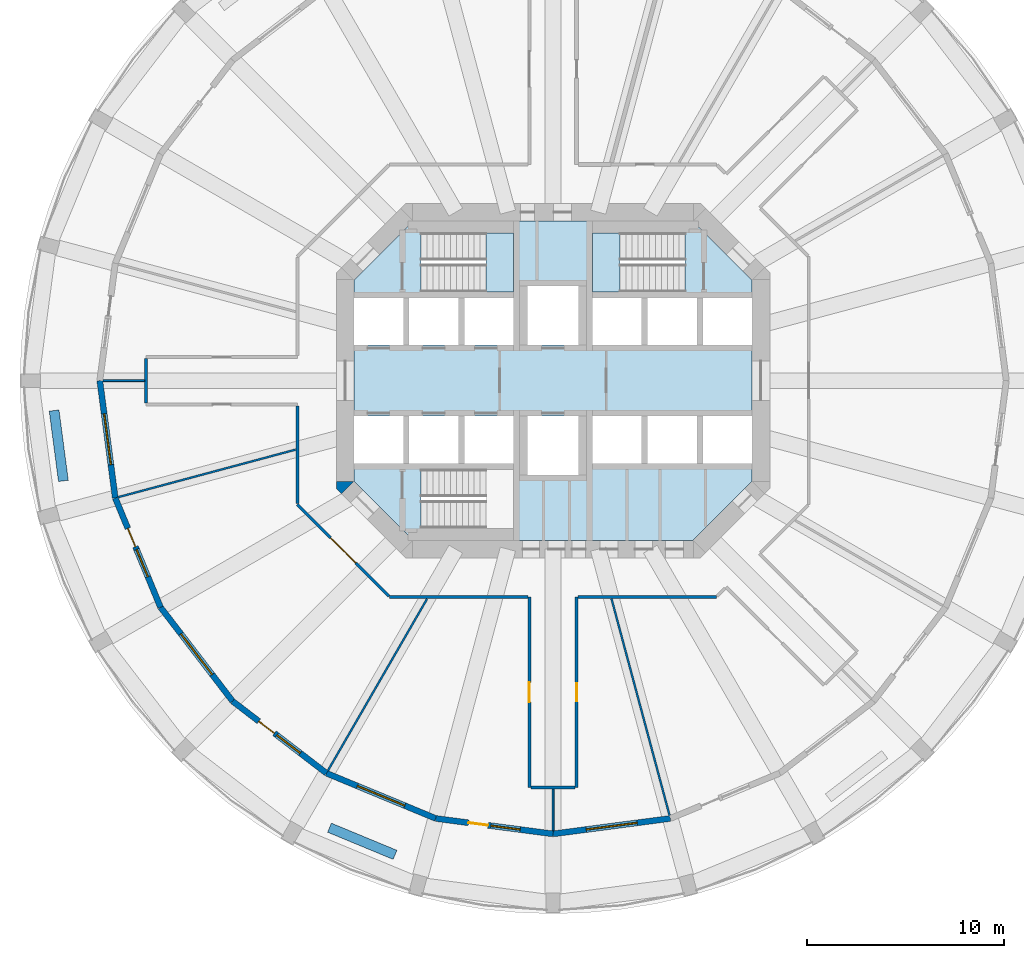
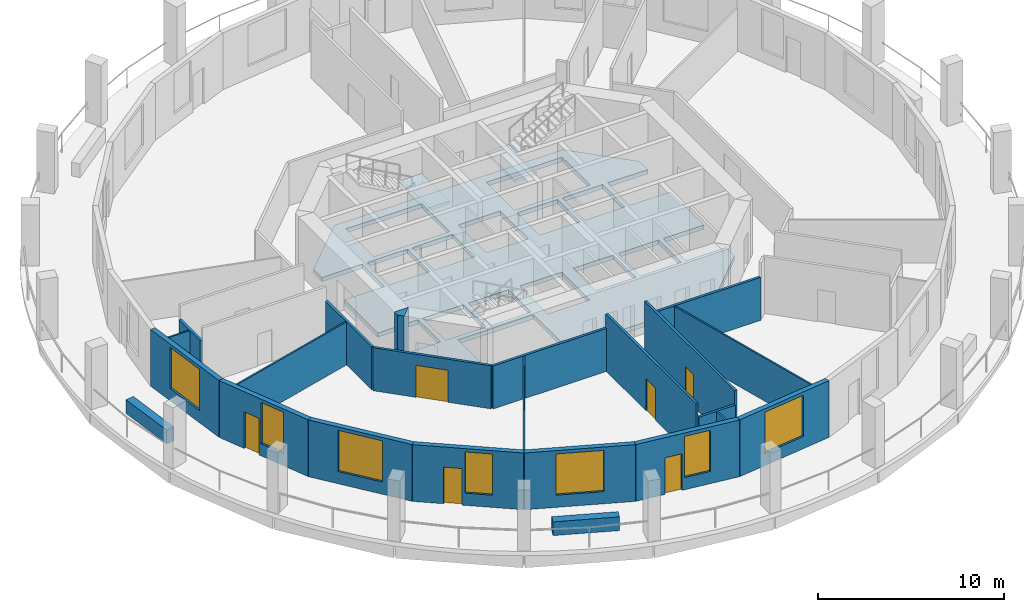
# One storey, part 2 of 9: 23 walls, 7 windows, 6 doors, 3 slabs, 13 openings, 2 elements without a shape of their own.
"""IFC4 building model written with IfcOpenShell, lengths in metres."""

import ifcopenshell
import ifcopenshell.guid

model = None  # the IFC model being written
_history = None  # IfcOwnerHistory: only IFC2X3 demands one
_inside = {}  # id of a spatial element -> (the spatial element, [elements in it])
_under = {}  # id of a project, library or spatial element -> (it, [spatial elements below it])
_declared = {}  # id of a project -> (the project, [libraries it declares])
_typed = {}  # id of a type object -> (the type object, [elements of that type])
_made_of = {}  # id of a material, layer set ... -> (it, [elements and type objects made of it])


def new_model(schema):
    """Start an empty IFC model of exactly this schema.

    Asked for "IFC4X3", IfcOpenShell would pick the latest addendum, in which some entities
    have other attributes; the version numbers below select the first issue.
    IFC2X3 requires an IfcOwnerHistory on every rooted entity: one is made here for all.
    """
    global model, _history
    if schema == "IFC4X3":
        model = ifcopenshell.file(schema_version=(4, 3, 0, 0))
    else:
        model = ifcopenshell.file(schema=schema)
    _inside.clear()
    _under.clear()
    _declared.clear()
    _typed.clear()
    _made_of.clear()
    _history = None
    if model.schema == "IFC2X3":
        org = make("IfcOrganization", Name="unknown")
        user = make(
            "IfcPersonAndOrganization",
            ThePerson=make("IfcPerson", FamilyName="unknown"),
            TheOrganization=org,
        )
        app = make(
            "IfcApplication",
            ApplicationDeveloper=org,
            Version="unknown",
            ApplicationFullName="unknown",
            ApplicationIdentifier="unknown",
        )
        _history = make(
            "IfcOwnerHistory",
            OwningUser=user,
            OwningApplication=app,
            ChangeAction="ADDED",
            CreationDate=0,
        )
    return model


def make(cls, **values):
    """One entity of the class cls with the attributes given. An attribute that is None is left unset."""
    return model.create_entity(
        cls, **{name: value for name, value in values.items() if value is not None}
    )


def rooted(cls, **values):
    """An entity with a GlobalId (a new one), such as an element, a storey or a relation."""
    return make(cls, GlobalId=ifcopenshell.guid.new(), OwnerHistory=_history, **values)


def si_unit(unit_type, name, prefix=None):
    """IfcSIUnit, for example si_unit("LENGTHUNIT", "METRE", prefix="MILLI")."""
    return make("IfcSIUnit", UnitType=unit_type, Prefix=prefix, Name=name)


def assignment(units):
    """IfcUnitAssignment: the units of a project."""
    return None if units is None else make("IfcUnitAssignment", Units=units)


def point(xyz):
    """IfcCartesianPoint."""
    return None if xyz is None else make("IfcCartesianPoint", Coordinates=xyz)


def direction(xyz):
    """IfcDirection."""
    return None if xyz is None else make("IfcDirection", DirectionRatios=xyz)


def frame(location, z_axis=None, x_axis=None):
    """IfcAxis2Placement3D, a coordinate frame: its origin and axes. An axis left out is left unset."""
    return make(
        "IfcAxis2Placement3D",
        Location=point(location),
        Axis=direction(z_axis),
        RefDirection=direction(x_axis),
    )


def frame_2d(location, x_axis=None):
    """IfcAxis2Placement2D, a coordinate frame in the plane: its origin and x axis."""
    return make(
        "IfcAxis2Placement2D", Location=point(location), RefDirection=direction(x_axis)
    )


def origin():
    """The frame at (0, 0, 0) with its axes left unset."""
    return frame((0.0, 0.0, 0.0))


def place(relative_to, where):
    """IfcLocalPlacement: puts the frame where relative to a parent placement (None: the world)."""
    return make(
        "IfcLocalPlacement", PlacementRelTo=relative_to, RelativePlacement=where
    )


def context(
    kind, dimensions, precision=None, world=None, true_north=None, identifier=None
):
    """IfcGeometricRepresentationContext, for example the 3D "Model" context."""
    return make(
        "IfcGeometricRepresentationContext",
        ContextIdentifier=identifier,
        ContextType=kind,
        CoordinateSpaceDimension=dimensions,
        Precision=precision,
        WorldCoordinateSystem=world,
        TrueNorth=true_north,
    )


def subcontext(parent, identifier, kind, view, scale=None):
    """IfcGeometricRepresentationSubContext, for example "Body" below "Model"."""
    return make(
        "IfcGeometricRepresentationSubContext",
        ContextIdentifier=identifier,
        ContextType=kind,
        ParentContext=parent,
        TargetScale=scale,
        TargetView=view,
    )


def project(units=None, contexts=None):
    """IfcProject with its units and contexts."""
    return rooted(
        "IfcProject",
        Name="project",
        RepresentationContexts=contexts,
        UnitsInContext=assignment(units),
    )


def spatial(cls, under=None, at=None, **own):
    """A site, building, storey or space (cls), placed at a placement, below another one or the project."""
    s = rooted(cls, ObjectPlacement=at, **own)
    if under is not None:
        _under.setdefault(under.id(), (under, []))[1].append(s)
    return s


def polyline(points):
    """IfcPolyline through the points."""
    return make("IfcPolyline", Points=[point(p) for p in points])


def profile(cls, at=None, kind="AREA", **sizes):
    """A parametric profile (cls). Its sizes go by their IFC names, for example OverallWidth=200.0."""
    return make(cls, ProfileType=kind, Position=at, **sizes)


def rectangle(**sizes):
    """IfcRectangleProfileDef."""
    return profile("IfcRectangleProfileDef", **sizes)


def outline(outer, holes=None, kind="AREA"):
    """IfcArbitraryClosedProfileDef: a profile drawn as a closed curve; with holes, ...WithVoids."""
    if holes is None:
        return make("IfcArbitraryClosedProfileDef", ProfileType=kind, OuterCurve=outer)
    return make(
        "IfcArbitraryProfileDefWithVoids",
        ProfileType=kind,
        OuterCurve=outer,
        InnerCurves=holes,
    )


def extrude(swept, where, along, depth):
    """IfcExtrudedAreaSolid: the profile swept, set in the frame where, extruded along a direction by depth."""
    return make(
        "IfcExtrudedAreaSolid",
        SweptArea=swept,
        Position=where,
        ExtrudedDirection=direction(along),
        Depth=depth,
    )


def shape(context_of_items, identifier, shape_type, items):
    """IfcShapeRepresentation: the items that make up one representation, for example the "Body"."""
    return make(
        "IfcShapeRepresentation",
        ContextOfItems=context_of_items,
        RepresentationIdentifier=identifier,
        RepresentationType=shape_type,
        Items=items,
    )


def material(Name=None, Category=None):
    """IfcMaterial."""
    return make("IfcMaterial", Name=Name, Category=Category)


def layer(
    of_material, thickness, ventilated=None, Name=None, Category=None, Priority=None
):
    """IfcMaterialLayer: one layer of a wall or slab, of a material (None: an air gap)."""
    return make(
        "IfcMaterialLayer",
        Material=of_material,
        LayerThickness=thickness,
        IsVentilated=ventilated,
        Name=Name,
        Category=Category,
        Priority=Priority,
    )


def layer_set(layers, Name=None):
    """IfcMaterialLayerSet."""
    return make("IfcMaterialLayerSet", MaterialLayers=layers, LayerSetName=Name)


def made_of(thing, what):
    """Note that an element or type object is made of a material, layer set ...; save() writes the relation."""
    if what is not None:
        _made_of.setdefault(what.id(), (what, []))[1].append(thing)
    return thing


def type_object(cls, material=None, **own):
    """A type object (cls), such as IfcWallType, which elements share."""
    return made_of(rooted(cls, **own), material)


def element(
    cls,
    number,
    at=None,
    inside=None,
    cuts=None,
    type_object=None,
    material=None,
    context=None,
    identifier="Body",
    shape_type=None,
    held_by="IfcProductDefinitionShape",
    body=None,
    shapes=None,
    **own,
):
    """One element of the class cls, such as IfcWall. Its Tag is "e" and its number.

    at: its placement. inside: the storey or other place that contains it. cuts: it is an
    opening in that element (IfcRelVoidsElement). A single representation is given by context,
    identifier, shape_type and body (its items); several are given by shapes. held_by: the class
    of the entity that holds the representations. save() writes the other relations.
    """
    e = rooted(cls, Tag="e%d" % number, ObjectPlacement=at, **own)
    if body is not None:
        shapes = [shape(context, identifier, shape_type, body)]
    if shapes is not None:
        e.Representation = make(held_by, Representations=shapes)
    if inside is not None:
        _inside.setdefault(inside.id(), (inside, []))[1].append(e)
    if cuts is not None:
        rooted(
            "IfcRelVoidsElement", RelatingBuildingElement=cuts, RelatedOpeningElement=e
        )
    if type_object is not None:
        _typed.setdefault(type_object.id(), (type_object, []))[1].append(e)
    return made_of(e, material)


def fill(opening, filler):
    """IfcRelFillsElement: the door or window that sits in an opening."""
    return rooted(
        "IfcRelFillsElement",
        RelatingOpeningElement=opening,
        RelatedBuildingElement=filler,
    )


def aggregate(whole, parts):
    """IfcRelAggregates: a whole, such as a stair, and the parts it consists of."""
    return rooted("IfcRelAggregates", RelatingObject=whole, RelatedObjects=parts)


def save(model, path):
    """Write the relations noted so far, then the file.

    IfcRelAggregates (storeys below a building ...), IfcRelContainedInSpatialStructure (elements
    in a storey), IfcRelDefinesByType, IfcRelAssociatesMaterial and IfcRelDeclares: one each for
    every whole, place, type object, material and project.
    """
    for whole, parts in _under.values():
        aggregate(whole, parts)
    for where, things in _inside.values():
        rooted(
            "IfcRelContainedInSpatialStructure",
            RelatedElements=things,
            RelatingStructure=where,
        )
    for kind, things in _typed.values():
        rooted("IfcRelDefinesByType", RelatedObjects=things, RelatingType=kind)
    for what, things in _made_of.values():
        rooted("IfcRelAssociatesMaterial", RelatedObjects=things, RelatingMaterial=what)
    for by, libraries in _declared.values():
        rooted("IfcRelDeclares", RelatingContext=by, RelatedDefinitions=libraries)
    model.write(path)


model = new_model("IFC4")

# Units and contexts
model_context = context("Model", 3, precision=1e-05, world=origin(), true_north=direction((0.0, 1.0)))
body_context = subcontext(model_context, "Body", "Model", "MODEL_VIEW")
ifc_project = project(units=[si_unit("LENGTHUNIT", "METRE"), si_unit("AREAUNIT", "SQUARE_METRE"), si_unit("VOLUMEUNIT", "CUBIC_METRE"), si_unit("PLANEANGLEUNIT", "RADIAN"), si_unit("MASSUNIT", "GRAM", prefix="KILO")], contexts=[model_context])

# Site, building, storey
site_placement = place(None, origin())
site = spatial("IfcSite", under=ifc_project, at=site_placement, CompositionType="ELEMENT")
building_placement = place(site_placement, origin())
building = spatial("IfcBuilding", under=site, at=building_placement, Name="Torre Triforio", CompositionType="ELEMENT")
storey_placement = place(building_placement, frame((0.0, 0.0, 51.0)))
storey = spatial("IfcBuildingStorey", under=building, at=storey_placement, Name="L10", CompositionType="ELEMENT", Elevation=51.0)

# Slab
ifc_material_1 = material(Name="Concrete C60", Category="concrete")
ifc_layer_1 = layer(ifc_material_1, 0.280029296875)
ifc_layer_set_1 = layer_set([ifc_layer_1], Name="Concrete C60")
slab_type_1 = type_object("IfcSlabType", Name="Core floor slab 280 mm C60 REI 120", PredefinedType="FLOOR", material=ifc_layer_set_1)
slab_1_placement = place(storey_placement, frame((0.0, 0.0, -0.280029296875)))
element("IfcSlab", 1, at=slab_1_placement, inside=storey, type_object=slab_type_1, Name="Core floor slab", PredefinedType="FLOOR", context=body_context, shape_type="SweptSolid", body=[
    extrude(outline(polyline([(10.10009765625, -5.10009765625), (7.10009765625, -8.10009765625), (-7.10009765625, -8.10009765625), (-10.10009765625, -5.10009765625), (-10.10009765625, -4.199951171875), (-7.60009765625, -4.199951171875), (-7.60009765625, -1.800048828125), (-10.10009765625, -1.800048828125), (-10.10009765625, 1.800048828125), (-7.60009765625, 1.800048828125), (-7.60009765625, 4.199951171875), (-10.10009765625, 4.199951171875), (-10.10009765625, 5.10009765625), (-7.10009765625, 8.10009765625), (7.10009765625, 8.10009765625), (10.10009765625, 5.10009765625), (10.10009765625, 4.199951171875), (7.60009765625, 4.199951171875), (7.60009765625, 1.800048828125), (10.10009765625, 1.800048828125), (10.10009765625, -1.800048828125), (7.60009765625, -1.800048828125), (7.60009765625, -4.199951171875), (10.10009765625, -4.199951171875), (10.10009765625, -5.10009765625)]), holes=[polyline([(-2.0, -4.5), (-6.696044921875, -4.5), (-6.696044921875, -7.5), (-2.0, -7.5), (-2.0, -4.5)]), polyline([(-4.800048828125, -1.800048828125), (-7.300048828125, -1.800048828125), (-7.300048828125, -4.199951171875), (-4.800048828125, -4.199951171875), (-4.800048828125, -1.800048828125)]), polyline([(-2.0, -1.800048828125), (-4.5, -1.800048828125), (-4.5, -4.199951171875), (-2.0, -4.199951171875), (-2.0, -1.800048828125)]), polyline([(-4.800048828125, 4.199951171875), (-7.300048828125, 4.199951171875), (-7.300048828125, 1.800048828125), (-4.800048828125, 1.800048828125), (-4.800048828125, 4.199951171875)]), polyline([(-2.0, 4.199951171875), (-4.5, 4.199951171875), (-4.5, 1.800048828125), (-2.0, 1.800048828125), (-2.0, 4.199951171875)]), polyline([(1.300048828125, 4.800048828125), (-1.300048828125, 4.800048828125), (-1.300048828125, 1.800048828125), (1.300048828125, 1.800048828125), (1.300048828125, 4.800048828125)]), polyline([(-2.0, 7.5), (-6.696044921875, 7.5), (-6.696044921875, 4.5), (-2.0, 4.5), (-2.0, 7.5)]), polyline([(1.300048828125, -1.800048828125), (-1.300048828125, -1.800048828125), (-1.300048828125, -4.800048828125), (1.300048828125, -4.800048828125), (1.300048828125, -1.800048828125)]), polyline([(4.5, -1.800048828125), (2.0, -1.800048828125), (2.0, -4.199951171875), (4.5, -4.199951171875), (4.5, -1.800048828125)]), polyline([(7.300048828125, -1.800048828125), (4.800048828125, -1.800048828125), (4.800048828125, -4.199951171875), (7.300048828125, -4.199951171875), (7.300048828125, -1.800048828125)]), polyline([(4.5, 4.199951171875), (2.0, 4.199951171875), (2.0, 1.800048828125), (4.5, 1.800048828125), (4.5, 4.199951171875)]), polyline([(7.300048828125, 4.199951171875), (4.800048828125, 4.199951171875), (4.800048828125, 1.800048828125), (7.300048828125, 1.800048828125), (7.300048828125, 4.199951171875)]), polyline([(6.696044921875, 4.5), (6.696044921875, 7.5), (2.0, 7.5), (2.0, 4.5), (6.696044921875, 4.5)])]), origin(), (0.0, 0.0, 1.0), 0.280029296875),
])

# Stair, slab
ifc_material_2 = material(Name="Concrete C40", Category="concrete")
stair_type = type_object("IfcStairType", Name="STAIR HALF-TURN", PredefinedType="HALF_TURN_STAIR", material=ifc_material_2)
stair_1_placement = place(storey_placement, origin())
stair_1 = element("IfcStair", 2, at=stair_1_placement, inside=storey, type_object=stair_type, Name="Exit stair 1", PredefinedType="HALF_TURN_STAIR")
ifc_layer_2 = layer(ifc_material_2, 0.199951171875)
ifc_layer_set_2 = layer_set([ifc_layer_2], Name="Concrete C40")
slab_type_2 = type_object("IfcSlabType", Name="STAIR LANDING 200", PredefinedType="LANDING", material=ifc_layer_set_2)
slab_2_placement = place(storey_placement, frame((0.0, 0.0, 1.800048828125)))
slab_2 = element("IfcSlab", 3, at=slab_2_placement, type_object=slab_type_2, Name="ST1 landing 1", PredefinedType="LANDING", context=body_context, shape_type="SweptSolid", body=[
    extrude(outline(polyline([(-2.0, 4.5), (-2.0, 7.5), (-3.39990234375, 7.5), (-3.39990234375, 4.5), (-2.0, 4.5)])), origin(), (0.0, 0.0, 1.0), 0.199951171875),
])
aggregate(stair_1, [slab_2])

stair_2_placement = place(storey_placement, origin())
stair_2 = element("IfcStair", 4, at=stair_2_placement, inside=storey, type_object=stair_type, Name="Exit stair 2", PredefinedType="HALF_TURN_STAIR")
slab_3_placement = place(storey_placement, frame((0.0, 0.0, 1.800048828125)))
slab_3 = element("IfcSlab", 5, at=slab_3_placement, type_object=slab_type_2, Name="ST2 landing 1", PredefinedType="LANDING", context=body_context, shape_type="SweptSolid", body=[
    extrude(outline(polyline([(3.39990234375, 4.5), (3.39990234375, 7.5), (2.0, 7.5), (2.0, 4.5), (3.39990234375, 4.5)])), origin(), (0.0, 0.0, 1.0), 0.199951171875),
])
aggregate(stair_2, [slab_3])

# Walls
ifc_layer_3 = layer(ifc_material_1, 0.89990234375)
ifc_layer_set_3 = layer_set([ifc_layer_3], Name="Concrete C60")
wall_type_1 = type_object("IfcWallType", Name="Core wall 900 mm C60 EI 120", PredefinedType="SHEAR", material=ifc_layer_set_3)
wall_1_placement = place(storey_placement, frame((0.0, 0.0, -0.280029296875)))
element("IfcWall", 6, at=wall_1_placement, inside=storey, type_object=wall_type_1, Name="Core wall", PredefinedType="SHEAR", context=body_context, shape_type="SweptSolid", body=[
    extrude(outline(polyline([(-11.0, -5.472900390625), (-11.0, -5.1298828125), (-10.1298828125, -5.1298828125), (-10.736328125, -5.736328125), (-11.0, -5.472900390625)])), origin(), (0.0, 0.0, 1.0), 4.0),
])
ifc_material_3 = material(Name="Plasterboard on metal studs")
ifc_layer_4 = layer(ifc_material_3, 0.14990234375)
ifc_layer_set_4 = layer_set([ifc_layer_4], Name="Plasterboard on metal studs")
wall_type_2 = type_object("IfcWallType", Name="Corridor and tenancy wall 150 mm EI 60", PredefinedType="PARTITIONING", material=ifc_layer_set_4)
wall_2_placement = place(storey_placement, frame((8.291015625, -10.97509765625, 0.0), z_axis=(0.0, 0.0, 1.0), x_axis=(-1.0, 0.0, 0.0)))
element("IfcWall", 7, at=wall_2_placement, inside=storey, type_object=wall_type_2, Name="Partition 4", PredefinedType="PARTITIONING", context=body_context, shape_type="SweptSolid", body=[
    extrude(rectangle(XDim=7.01611328125, YDim=0.14990234375, at=frame_2d((3.508056640625, 0.0))), origin(), (0.0, 0.0, 1.0), 2.820068359375),
])

# Wall, opening, door
wall_3_placement = place(storey_placement, frame((1.199951171875, -10.97509765625, 0.0), z_axis=(0.0, 0.0, 1.0), x_axis=(0.0, -1.0, 0.0)))
wall_3 = element("IfcWall", 8, at=wall_3_placement, inside=storey, type_object=wall_type_2, Name="Partition 5", PredefinedType="PARTITIONING", context=body_context, shape_type="SweptSolid", body=[
    extrude(rectangle(XDim=9.673583984375, YDim=0.14990234375, at=frame_2d((4.8369140625, 0.0))), origin(), (0.0, 0.0, 1.0), 3.719970703125),
])
opening_1_placement = place(wall_3_placement, frame((4.386962890625, 0.0, 0.0)))
opening_1 = element("IfcOpeningElement", 9, at=opening_1_placement, cuts=wall_3, Name="Opening N3-06", PredefinedType="OPENING", context=body_context, shape_type="SweptSolid", body=[
    extrude(rectangle(XDim=0.89990234375, YDim=2.10009765625, at=frame_2d((0.449951171875, 1.050048828125))), frame((0.0, 0.0849609375, 0.0), z_axis=(0.0, -1.0, 0.0), x_axis=(1.0, 0.0, 0.0)), (0.0, 0.0, 1.0), 0.169921875),
])
ifc_material_4 = material(Name="Timber", Category="wood")
door_type_1 = type_object("IfcDoorType", Name="Door 900 x 2100 single leaf EI 30", OperationType="NOTDEFINED", PredefinedType="DOOR", material=ifc_material_4)
door_1_placement = place(opening_1_placement, origin())
door_1 = element("IfcDoor", 10, at=door_1_placement, inside=storey, type_object=door_type_1, Name="Door N3-06", OperationType="SINGLE_SWING_RIGHT", OverallHeight=2.10009765625, OverallWidth=0.89990234375, PredefinedType="DOOR", context=body_context, shape_type="SweptSolid", body=[
    extrude(rectangle(XDim=0.89990234375, YDim=2.10009765625, at=frame_2d((0.449951171875, 1.050048828125))), frame((0.0, 0.02490234375, 0.0), z_axis=(0.0, -1.0, 0.0), x_axis=(1.0, 0.0, 0.0)), (0.0, 0.0, 1.0), 0.050048828125),
])
fill(opening_1, door_1)

# Wall
wall_4_placement = place(storey_placement, frame((1.125, -20.648681640625, 0.0), z_axis=(0.0, 0.0, 1.0), x_axis=(-1.0, 0.0, 0.0)))
element("IfcWall", 11, at=wall_4_placement, inside=storey, type_object=wall_type_2, Name="Partition 6", PredefinedType="PARTITIONING", context=body_context, shape_type="SweptSolid", body=[
    extrude(rectangle(XDim=2.25, YDim=0.14990234375, at=frame_2d((1.125, 0.0))), origin(), (0.0, 0.0, 1.0), 2.820068359375),
])

# Wall, opening, door
wall_5_placement = place(storey_placement, frame((-1.199951171875, -20.648681640625, 0.0), z_axis=(0.0, 0.0, 1.0), x_axis=(0.0, 1.0, 0.0)))
wall_5 = element("IfcWall", 12, at=wall_5_placement, inside=storey, type_object=wall_type_2, Name="Partition 7", PredefinedType="PARTITIONING", context=body_context, shape_type="SweptSolid", body=[
    extrude(rectangle(XDim=9.673583984375, YDim=0.14990234375, at=frame_2d((4.8369140625, 0.0))), origin(), (0.0, 0.0, 1.0), 3.719970703125),
])
opening_2_placement = place(wall_5_placement, frame((4.3369140625, 0.0, 0.0)))
opening_2 = element("IfcOpeningElement", 13, at=opening_2_placement, cuts=wall_5, Name="Opening N3-05", PredefinedType="OPENING", context=body_context, shape_type="SweptSolid", body=[
    extrude(rectangle(XDim=1.0, YDim=2.10009765625, at=frame_2d((0.5, 1.050048828125))), frame((0.0, 0.0849609375, 0.0), z_axis=(0.0, -1.0, 0.0), x_axis=(1.0, 0.0, 0.0)), (0.0, 0.0, 1.0), 0.169921875),
])
door_type_2 = type_object("IfcDoorType", Name="Door 1000 x 2100 single leaf EI 30", OperationType="NOTDEFINED", PredefinedType="DOOR", material=ifc_material_4)
door_2_placement = place(opening_2_placement, origin())
door_2 = element("IfcDoor", 14, at=door_2_placement, inside=storey, type_object=door_type_2, Name="Door N3-05", OperationType="SINGLE_SWING_RIGHT", OverallHeight=2.10009765625, OverallWidth=1.0, PredefinedType="DOOR", context=body_context, shape_type="SweptSolid", body=[
    extrude(rectangle(XDim=1.0, YDim=2.10009765625, at=frame_2d((0.5, 1.050048828125))), frame((0.0, 0.02490234375, 0.0), z_axis=(0.0, -1.0, 0.0), x_axis=(1.0, 0.0, 0.0)), (0.0, 0.0, 1.0), 0.050048828125),
])
fill(opening_2, door_2)

# Wall
wall_6_placement = place(storey_placement, frame((-1.27490234375, -10.97509765625, 0.0), z_axis=(0.0, 0.0, 1.0), x_axis=(-1.0, 0.0, 0.0)))
element("IfcWall", 15, at=wall_6_placement, inside=storey, type_object=wall_type_2, Name="Partition 8", PredefinedType="PARTITIONING", context=body_context, shape_type="SweptSolid", body=[
    extrude(rectangle(XDim=7.01611328125, YDim=0.14990234375, at=frame_2d((3.508056640625, 0.0))), origin(), (0.0, 0.0, 1.0), 2.820068359375),
])

# Wall, opening, door
wall_7_placement = place(storey_placement, frame((-8.327880859375, -10.93798828125, 0.0), z_axis=(0.0, 0.0, 1.0), x_axis=(-0.707125355289, 0.707088206597, 0.0)))
wall_7 = element("IfcWall", 16, at=wall_7_placement, inside=storey, type_object=wall_type_2, Name="Partition 9", PredefinedType="PARTITIONING", context=body_context, shape_type="SweptSolid", body=[
    extrude(rectangle(XDim=6.572021484375, YDim=0.14990234375, at=frame_2d((3.2861328125, 0.0))), origin(), (0.0, 0.0, 1.0), 2.820068359375),
])
opening_3_placement = place(wall_7_placement, frame((2.385986328125, 0.0, 0.0)))
opening_3 = element("IfcOpeningElement", 17, at=opening_3_placement, cuts=wall_7, Name="Opening N3-04", PredefinedType="OPENING", context=body_context, shape_type="SweptSolid", body=[
    extrude(rectangle(XDim=1.800048828125, YDim=2.10009765625, at=frame_2d((0.89990234375, 1.050048828125))), frame((0.0, 0.0849609375, 0.0), z_axis=(0.0, -1.0, 0.0), x_axis=(1.0, 0.0, 0.0)), (0.0, 0.0, 1.0), 0.169921875),
])
door_type_3 = type_object("IfcDoorType", Name="Door 1800 x 2100 double leaf EI 30", OperationType="DOUBLE_DOOR_SINGLE_SWING", PredefinedType="DOOR", material=ifc_material_4)
door_3_placement = place(opening_3_placement, origin())
door_3 = element("IfcDoor", 18, at=door_3_placement, inside=storey, type_object=door_type_3, Name="Door N3-04", OperationType="DOUBLE_DOOR_SINGLE_SWING", OverallHeight=2.10009765625, OverallWidth=1.800048828125, PredefinedType="DOOR", context=body_context, shape_type="SweptSolid", body=[
    extrude(rectangle(XDim=1.800048828125, YDim=2.10009765625, at=frame_2d((0.89990234375, 1.050048828125))), frame((0.0, 0.02490234375, 0.0), z_axis=(0.0, -1.0, 0.0), x_axis=(1.0, 0.0, 0.0)), (0.0, 0.0, 1.0), 0.050048828125),
])
fill(opening_3, door_3)

# Walls
wall_8_placement = place(storey_placement, frame((-12.97509765625, -6.23828125, 0.0), z_axis=(0.0, 0.0, 1.0), x_axis=(0.0, 1.0, 0.0)))
element("IfcWall", 19, at=wall_8_placement, inside=storey, type_object=wall_type_2, Name="Partition 10", PredefinedType="PARTITIONING", context=body_context, shape_type="SweptSolid", body=[
    extrude(rectangle(XDim=4.96337890625, YDim=0.14990234375, at=frame_2d((2.481689453125, 0.0))), origin(), (0.0, 0.0, 1.0), 2.820068359375),
])
wall_9_placement = place(storey_placement, frame((-20.648681640625, -1.125, 0.0), z_axis=(0.0, 0.0, 1.0), x_axis=(0.0, 1.0, 0.0)))
element("IfcWall", 20, at=wall_9_placement, inside=storey, type_object=wall_type_2, Name="Partition 12", PredefinedType="PARTITIONING", context=body_context, shape_type="SweptSolid", body=[
    extrude(rectangle(XDim=2.25, YDim=0.14990234375, at=frame_2d((1.125, 0.0))), origin(), (0.0, 0.0, 1.0), 2.820068359375),
])
ifc_layer_5 = layer(ifc_material_3, 0.10009765625)
ifc_layer_set_5 = layer_set([ifc_layer_5], Name="Plasterboard on metal studs")
wall_type_3 = type_object("IfcWallType", Name="Partition 100 mm board on metal studs", PredefinedType="PARTITIONING", material=ifc_layer_set_5)
wall_10_placement = place(storey_placement, frame((-20.7236328125, 0.0, 0.0), z_axis=(0.0, 0.0, 1.0), x_axis=(-1.0, 0.0, 0.0)))
element("IfcWall", 21, at=wall_10_placement, inside=storey, type_object=wall_type_3, Name="Partition 37", PredefinedType="PARTITIONING", context=body_context, shape_type="SweptSolid", body=[
    extrude(rectangle(XDim=2.113037109375, YDim=0.10009765625, at=frame_2d((1.056640625, 0.0))), origin(), (0.0, 0.0, 1.0), 2.820068359375),
])
wall_11_placement = place(storey_placement, frame((-13.064208984375, -3.50048828125, 0.0), z_axis=(0.0, 0.0, 1.0), x_axis=(-0.965922655056, -0.258830880017, 0.0)))
element("IfcWall", 22, at=wall_11_placement, inside=storey, type_object=wall_type_3, Name="Partition 38", PredefinedType="PARTITIONING", context=body_context, shape_type="SweptSolid", body=[
    extrude(rectangle(XDim=9.311767578125, YDim=0.10009765625, at=frame_2d((4.65576171875, 0.0))), origin(), (0.0, 0.0, 1.0), 2.820068359375),
])
wall_12_placement = place(storey_placement, frame((-6.393798828125, -11.07470703125, 0.0), z_axis=(0.0, 0.0, 1.0), x_axis=(-0.500024592647, -0.866011204747, 0.0)))
element("IfcWall", 23, at=wall_12_placement, inside=storey, type_object=wall_type_3, Name="Partition 39", PredefinedType="PARTITIONING", context=body_context, shape_type="SweptSolid", body=[
    extrude(rectangle(XDim=10.048828125, YDim=0.10009765625, at=frame_2d((5.0244140625, 0.0))), origin(), (0.0, 0.0, 1.0), 2.820068359375),
])
wall_13_placement = place(storey_placement, frame((0.0, -20.7236328125, 0.0), z_axis=(0.0, 0.0, 1.0), x_axis=(0.0, -1.0, 0.0)))
element("IfcWall", 24, at=wall_13_placement, inside=storey, type_object=wall_type_3, Name="Partition 40", PredefinedType="PARTITIONING", context=body_context, shape_type="SweptSolid", body=[
    extrude(rectangle(XDim=2.113037109375, YDim=0.10009765625, at=frame_2d((1.056640625, 0.0))), origin(), (0.0, 0.0, 1.0), 2.820068359375),
])
wall_14_placement = place(storey_placement, frame((2.964599609375, -11.064208984375, 0.0), z_axis=(0.0, 0.0, 1.0), x_axis=(0.258827930947, -0.965923445291, 0.0)))
element("IfcWall", 25, at=wall_14_placement, inside=storey, type_object=wall_type_3, Name="Partition 41", PredefinedType="PARTITIONING", context=body_context, shape_type="SweptSolid", body=[
    extrude(rectangle(XDim=11.38232421875, YDim=0.10009765625, at=frame_2d((5.691162109375, 0.0))), origin(), (0.0, 0.0, 1.0), 2.820068359375),
])
ifc_material_5 = material(Name="Limestone cladding", Category="masonry")
ifc_layer_6 = layer(ifc_material_5, 0.10009765625)
ifc_layer_7 = layer(ifc_material_2, 0.39990234375)
ifc_layer_set_6 = layer_set([ifc_layer_6, ifc_layer_7], Name="Limestone cladding / Concrete C40")
wall_type_4 = type_object("IfcWallType", Name="Planter wall 500", PredefinedType="PARAPET", material=ifc_layer_set_6)
for number, where, z_axis, x_axis, name in (
    (26, (-25.318603515625, -1.517578125, 0.0), (0.0, 0.0, 1.0), (0.130542222659, -0.991442750795, 0.0), "Planter L10 bay 13"),
    (27, (-11.344970703125, -22.685302734375, 0.0), (0.0, 0.0, 1.0), (0.923885420167, -0.382669217998, 0.0), "Planter L10 bay 17"),
):
    element("IfcWall", number, at=place(storey_placement, frame(where, z_axis=z_axis, x_axis=x_axis)), inside=storey, type_object=wall_type_4, Name=name, PredefinedType="PARAPET", context=body_context, shape_type="SweptSolid", body=[
        extrude(rectangle(XDim=3.60009765625, YDim=0.5, at=frame_2d((1.800048828125, 0.0))), origin(), (0.0, 0.0, 1.0), 0.89990234375),
    ])

# Wall, opening, window
ifc_layer_8 = layer(ifc_material_5, 0.10009765625)
ifc_layer_9 = layer(ifc_material_2, 0.199951171875)
ifc_layer_set_7 = layer_set([ifc_layer_8, ifc_layer_9], Name="Limestone cladding / Concrete C40")
wall_type_5 = type_object("IfcWallType", Name="Stone-faced composite wall 300", PredefinedType="STANDARD", material=ifc_layer_set_7)
wall_15_placement = place(storey_placement, frame((-23.0, 0.0, 0.0), z_axis=(0.0, 0.0, 1.0), x_axis=(0.130522880875, -0.991445297315, 0.0)))
wall_15 = element("IfcWall", 28, at=wall_15_placement, inside=storey, type_object=wall_type_5, Name="External wall L10 bay 13", PredefinedType="STANDARD", context=body_context, shape_type="SweptSolid", body=[
    extrude(rectangle(XDim=6.004150390625, YDim=0.300048828125, at=frame_2d((3.001953125, 0.0))), origin(), (0.0, 0.0, 1.0), 3.719970703125),
])
opening_4_placement = place(wall_15_placement, frame((1.7021484375, 0.0, 0.800048828125)))
opening_4 = element("IfcOpeningElement", 29, at=opening_4_placement, cuts=wall_15, Name="Opening N3-W13", PredefinedType="OPENING", context=body_context, shape_type="SweptSolid", body=[
    extrude(rectangle(XDim=2.60009765625, YDim=2.699951171875, at=frame_2d((1.300048828125, 1.35009765625))), frame((0.0, 0.159912109375, 0.0), z_axis=(0.0, -1.0, 0.0), x_axis=(1.0, 0.0, 0.0)), (0.0, 0.0, 1.0), 0.320068359375),
])
ifc_material_6 = material(Name="Aluminium frame with clear double glazing", Category="aluminium")
window_type_1 = type_object("IfcWindowType", Name="Punched window 2600 x 2700", PartitioningType="DOUBLE_PANEL_VERTICAL", PredefinedType="WINDOW", material=ifc_material_6)
window_1_placement = place(opening_4_placement, origin())
window_1 = element("IfcWindow", 30, at=window_1_placement, inside=storey, type_object=window_type_1, Name="Window EWN2 L10 bay 13", OverallHeight=2.699951171875, OverallWidth=2.60009765625, PartitioningType="SINGLE_PANEL", PredefinedType="WINDOW", context=body_context, shape_type="SweptSolid", body=[
    extrude(rectangle(XDim=2.60009765625, YDim=2.699951171875, at=frame_2d((1.300048828125, 1.35009765625))), frame((0.0, 0.030029296875, 0.0), z_axis=(0.0, -1.0, 0.0), x_axis=(1.0, 0.0, 0.0)), (0.0, 0.0, 1.0), 0.06005859375),
])
fill(opening_4, window_1)

# Wall, openings, door, window
wall_16_placement = place(storey_placement, frame((-22.21630859375, -5.952880859375, 0.0), z_axis=(0.0, 0.0, 1.0), x_axis=(0.382671411433, -0.923884511653, 0.0)))
wall_16 = element("IfcWall", 31, at=wall_16_placement, inside=storey, type_object=wall_type_5, Name="External wall L10 bay 14", PredefinedType="STANDARD", context=body_context, shape_type="SweptSolid", body=[
    extrude(rectangle(XDim=6.004150390625, YDim=0.300048828125, at=frame_2d((3.001953125, 0.0))), origin(), (0.0, 0.0, 1.0), 3.719970703125),
])
opening_5_placement = place(wall_16_placement, frame((1.677001953125, 0.0, 0.0)))
opening_5 = element("IfcOpeningElement", 32, at=opening_5_placement, cuts=wall_16, Name="Opening N3-D14", PredefinedType="OPENING", context=body_context, shape_type="SweptSolid", body=[
    extrude(rectangle(XDim=1.0, YDim=2.39990234375, at=frame_2d((0.5, 1.199951171875))), frame((0.0, 0.159912109375, 0.0), z_axis=(0.0, -1.0, 0.0), x_axis=(1.0, 0.0, 0.0)), (0.0, 0.0, 1.0), 0.320068359375),
])
opening_6_placement = place(wall_16_placement, frame((2.8271484375, 0.0, 0.800048828125)))
opening_6 = element("IfcOpeningElement", 33, at=opening_6_placement, cuts=wall_16, Name="Opening N3-W14A", PredefinedType="OPENING", context=body_context, shape_type="SweptSolid", body=[
    extrude(rectangle(XDim=1.5, YDim=2.699951171875, at=frame_2d((0.75, 1.35009765625))), frame((0.0, 0.159912109375, 0.0), z_axis=(0.0, -1.0, 0.0), x_axis=(1.0, 0.0, 0.0)), (0.0, 0.0, 1.0), 0.320068359375),
])
door_type_4 = type_object("IfcDoorType", Name="Loggia door 1000 x 2400", OperationType="NOTDEFINED", PredefinedType="DOOR", material=ifc_material_6)
door_4_placement = place(opening_5_placement, origin())
door_4 = element("IfcDoor", 34, at=door_4_placement, inside=storey, type_object=door_type_4, Name="Loggia door L10 bay 14", OperationType="SINGLE_SWING_LEFT", OverallHeight=2.39990234375, OverallWidth=1.0, PredefinedType="DOOR", context=body_context, shape_type="SweptSolid", body=[
    extrude(rectangle(XDim=1.0, YDim=2.39990234375, at=frame_2d((0.5, 1.199951171875))), frame((0.0, 0.02490234375, 0.0), z_axis=(0.0, -1.0, 0.0), x_axis=(1.0, 0.0, 0.0)), (0.0, 0.0, 1.0), 0.050048828125),
])
fill(opening_5, door_4)
window_type_2 = type_object("IfcWindowType", Name="Side window 1500 x 2700", PartitioningType="SINGLE_PANEL", PredefinedType="WINDOW", material=ifc_material_6)
window_2_placement = place(opening_6_placement, origin())
window_2 = element("IfcWindow", 35, at=window_2_placement, inside=storey, type_object=window_type_2, Name="Side window EWN12 L10 bay 14", OverallHeight=2.699951171875, OverallWidth=1.5, PartitioningType="SINGLE_PANEL", PredefinedType="WINDOW", context=body_context, shape_type="SweptSolid", body=[
    extrude(rectangle(XDim=1.5, YDim=2.699951171875, at=frame_2d((0.75, 1.35009765625))), frame((0.0, 0.030029296875, 0.0), z_axis=(0.0, -1.0, 0.0), x_axis=(1.0, 0.0, 0.0)), (0.0, 0.0, 1.0), 0.06005859375),
])
fill(opening_6, window_2)

# Wall, opening, window
wall_17_placement = place(storey_placement, frame((-19.918701171875, -11.5, 0.0), z_axis=(0.0, 0.0, 1.0), x_axis=(0.608778912074, -0.793339924758, 0.0)))
wall_17 = element("IfcWall", 36, at=wall_17_placement, inside=storey, type_object=wall_type_5, Name="External wall L10 bay 15", PredefinedType="STANDARD", context=body_context, shape_type="SweptSolid", body=[
    extrude(rectangle(XDim=6.004150390625, YDim=0.300048828125, at=frame_2d((3.001953125, 0.0))), origin(), (0.0, 0.0, 1.0), 3.719970703125),
])
opening_7_placement = place(wall_17_placement, frame((1.7021484375, 0.0, 0.800048828125)))
opening_7 = element("IfcOpeningElement", 37, at=opening_7_placement, cuts=wall_17, Name="Opening N3-W15", PredefinedType="OPENING", context=body_context, shape_type="SweptSolid", body=[
    extrude(rectangle(XDim=2.60009765625, YDim=2.699951171875, at=frame_2d((1.300048828125, 1.35009765625))), frame((0.0, 0.159912109375, 0.0), z_axis=(0.0, -1.0, 0.0), x_axis=(1.0, 0.0, 0.0)), (0.0, 0.0, 1.0), 0.320068359375),
])
window_3_placement = place(opening_7_placement, origin())
window_3 = element("IfcWindow", 38, at=window_3_placement, inside=storey, type_object=window_type_1, Name="Window EWN2 L10 bay 15", OverallHeight=2.699951171875, OverallWidth=2.60009765625, PartitioningType="SINGLE_PANEL", PredefinedType="WINDOW", context=body_context, shape_type="SweptSolid", body=[
    extrude(rectangle(XDim=2.60009765625, YDim=2.699951171875, at=frame_2d((1.300048828125, 1.35009765625))), frame((0.0, 0.030029296875, 0.0), z_axis=(0.0, -1.0, 0.0), x_axis=(1.0, 0.0, 0.0)), (0.0, 0.0, 1.0), 0.06005859375),
])
fill(opening_7, window_3)

# Wall, openings, door, window
wall_18_placement = place(storey_placement, frame((-16.263427734375, -16.263427734375, 0.0), z_axis=(0.0, 0.0, 1.0), x_axis=(0.793339924758, -0.608778912074, 0.0)))
wall_18 = element("IfcWall", 39, at=wall_18_placement, inside=storey, type_object=wall_type_5, Name="External wall L10 bay 16", PredefinedType="STANDARD", context=body_context, shape_type="SweptSolid", body=[
    extrude(rectangle(XDim=6.004150390625, YDim=0.300048828125, at=frame_2d((3.001953125, 0.0))), origin(), (0.0, 0.0, 1.0), 3.719970703125),
])
opening_8_placement = place(wall_18_placement, frame((1.677001953125, 0.0, 0.0)))
opening_8 = element("IfcOpeningElement", 40, at=opening_8_placement, cuts=wall_18, Name="Opening N3-D16", PredefinedType="OPENING", context=body_context, shape_type="SweptSolid", body=[
    extrude(rectangle(XDim=1.0, YDim=2.39990234375, at=frame_2d((0.5, 1.199951171875))), frame((0.0, 0.159912109375, 0.0), z_axis=(0.0, -1.0, 0.0), x_axis=(1.0, 0.0, 0.0)), (0.0, 0.0, 1.0), 0.320068359375),
])
opening_9_placement = place(wall_18_placement, frame((2.8271484375, 0.0, 0.800048828125)))
opening_9 = element("IfcOpeningElement", 41, at=opening_9_placement, cuts=wall_18, Name="Opening N3-W16A", PredefinedType="OPENING", context=body_context, shape_type="SweptSolid", body=[
    extrude(rectangle(XDim=1.5, YDim=2.699951171875, at=frame_2d((0.75, 1.35009765625))), frame((0.0, 0.159912109375, 0.0), z_axis=(0.0, -1.0, 0.0), x_axis=(1.0, 0.0, 0.0)), (0.0, 0.0, 1.0), 0.320068359375),
])
door_5_placement = place(opening_8_placement, origin())
door_5 = element("IfcDoor", 42, at=door_5_placement, inside=storey, type_object=door_type_4, Name="Loggia door L10 bay 16", OperationType="SINGLE_SWING_LEFT", OverallHeight=2.39990234375, OverallWidth=1.0, PredefinedType="DOOR", context=body_context, shape_type="SweptSolid", body=[
    extrude(rectangle(XDim=1.0, YDim=2.39990234375, at=frame_2d((0.5, 1.199951171875))), frame((0.0, 0.02490234375, 0.0), z_axis=(0.0, -1.0, 0.0), x_axis=(1.0, 0.0, 0.0)), (0.0, 0.0, 1.0), 0.050048828125),
])
fill(opening_8, door_5)
window_4_placement = place(opening_9_placement, origin())
window_4 = element("IfcWindow", 43, at=window_4_placement, inside=storey, type_object=window_type_2, Name="Side window EWN12 L10 bay 16", OverallHeight=2.699951171875, OverallWidth=1.5, PartitioningType="SINGLE_PANEL", PredefinedType="WINDOW", context=body_context, shape_type="SweptSolid", body=[
    extrude(rectangle(XDim=1.5, YDim=2.699951171875, at=frame_2d((0.75, 1.35009765625))), frame((0.0, 0.030029296875, 0.0), z_axis=(0.0, -1.0, 0.0), x_axis=(1.0, 0.0, 0.0)), (0.0, 0.0, 1.0), 0.06005859375),
])
fill(opening_9, window_4)

# Wall, opening, window
wall_19_placement = place(storey_placement, frame((-11.5, -19.918701171875, 0.0), z_axis=(0.0, 0.0, 1.0), x_axis=(0.923884511653, -0.382671411433, 0.0)))
wall_19 = element("IfcWall", 44, at=wall_19_placement, inside=storey, type_object=wall_type_5, Name="External wall L10 bay 17", PredefinedType="STANDARD", context=body_context, shape_type="SweptSolid", body=[
    extrude(rectangle(XDim=6.004150390625, YDim=0.300048828125, at=frame_2d((3.001953125, 0.0))), origin(), (0.0, 0.0, 1.0), 3.719970703125),
])
opening_10_placement = place(wall_19_placement, frame((1.7021484375, 0.0, 0.800048828125)))
opening_10 = element("IfcOpeningElement", 45, at=opening_10_placement, cuts=wall_19, Name="Opening N3-W17", PredefinedType="OPENING", context=body_context, shape_type="SweptSolid", body=[
    extrude(rectangle(XDim=2.60009765625, YDim=2.699951171875, at=frame_2d((1.300048828125, 1.35009765625))), frame((0.0, 0.159912109375, 0.0), z_axis=(0.0, -1.0, 0.0), x_axis=(1.0, 0.0, 0.0)), (0.0, 0.0, 1.0), 0.320068359375),
])
window_5_placement = place(opening_10_placement, origin())
window_5 = element("IfcWindow", 46, at=window_5_placement, inside=storey, type_object=window_type_1, Name="Window EWN2 L10 bay 17", OverallHeight=2.699951171875, OverallWidth=2.60009765625, PartitioningType="SINGLE_PANEL", PredefinedType="WINDOW", context=body_context, shape_type="SweptSolid", body=[
    extrude(rectangle(XDim=2.60009765625, YDim=2.699951171875, at=frame_2d((1.300048828125, 1.35009765625))), frame((0.0, 0.030029296875, 0.0), z_axis=(0.0, -1.0, 0.0), x_axis=(1.0, 0.0, 0.0)), (0.0, 0.0, 1.0), 0.06005859375),
])
fill(opening_10, window_5)

# Wall, openings, door, window
wall_20_placement = place(storey_placement, frame((-5.952880859375, -22.21630859375, 0.0), z_axis=(0.0, 0.0, 1.0), x_axis=(0.991445297315, -0.130522880875, 0.0)))
wall_20 = element("IfcWall", 47, at=wall_20_placement, inside=storey, type_object=wall_type_5, Name="External wall L10 bay 18", PredefinedType="STANDARD", context=body_context, shape_type="SweptSolid", body=[
    extrude(rectangle(XDim=6.004150390625, YDim=0.300048828125, at=frame_2d((3.001953125, 0.0))), origin(), (0.0, 0.0, 1.0), 3.719970703125),
])
opening_11_placement = place(wall_20_placement, frame((1.677001953125, 0.0, 0.0)))
opening_11 = element("IfcOpeningElement", 48, at=opening_11_placement, cuts=wall_20, Name="Opening N3-D18", PredefinedType="OPENING", context=body_context, shape_type="SweptSolid", body=[
    extrude(rectangle(XDim=1.0, YDim=2.39990234375, at=frame_2d((0.5, 1.199951171875))), frame((0.0, 0.159912109375, 0.0), z_axis=(0.0, -1.0, 0.0), x_axis=(1.0, 0.0, 0.0)), (0.0, 0.0, 1.0), 0.320068359375),
])
opening_12_placement = place(wall_20_placement, frame((2.8271484375, 0.0, 0.800048828125)))
opening_12 = element("IfcOpeningElement", 49, at=opening_12_placement, cuts=wall_20, Name="Opening N3-W18A", PredefinedType="OPENING", context=body_context, shape_type="SweptSolid", body=[
    extrude(rectangle(XDim=1.5, YDim=2.699951171875, at=frame_2d((0.75, 1.35009765625))), frame((0.0, 0.159912109375, 0.0), z_axis=(0.0, -1.0, 0.0), x_axis=(1.0, 0.0, 0.0)), (0.0, 0.0, 1.0), 0.320068359375),
])
door_6_placement = place(opening_11_placement, origin())
door_6 = element("IfcDoor", 50, at=door_6_placement, inside=storey, type_object=door_type_4, Name="Loggia door L10 bay 18", OperationType="SINGLE_SWING_RIGHT", OverallHeight=2.39990234375, OverallWidth=1.0, PredefinedType="DOOR", context=body_context, shape_type="SweptSolid", body=[
    extrude(rectangle(XDim=1.0, YDim=2.39990234375, at=frame_2d((0.5, 1.199951171875))), frame((0.0, 0.02490234375, 0.0), z_axis=(0.0, -1.0, 0.0), x_axis=(1.0, 0.0, 0.0)), (0.0, 0.0, 1.0), 0.050048828125),
])
fill(opening_11, door_6)
window_6_placement = place(opening_12_placement, origin())
window_6 = element("IfcWindow", 51, at=window_6_placement, inside=storey, type_object=window_type_2, Name="Side window EWN12 L10 bay 18", OverallHeight=2.699951171875, OverallWidth=1.5, PartitioningType="SINGLE_PANEL", PredefinedType="WINDOW", context=body_context, shape_type="SweptSolid", body=[
    extrude(rectangle(XDim=1.5, YDim=2.699951171875, at=frame_2d((0.75, 1.35009765625))), frame((0.0, 0.030029296875, 0.0), z_axis=(0.0, -1.0, 0.0), x_axis=(1.0, 0.0, 0.0)), (0.0, 0.0, 1.0), 0.06005859375),
])
fill(opening_12, window_6)

# Wall, opening, window
wall_21_placement = place(storey_placement, frame((0.0, -23.0, 0.0), z_axis=(0.0, 0.0, 1.0), x_axis=(0.991445297315, 0.130522880875, 0.0)))
wall_21 = element("IfcWall", 52, at=wall_21_placement, inside=storey, type_object=wall_type_5, Name="External wall L10 bay 19", PredefinedType="STANDARD", context=body_context, shape_type="SweptSolid", body=[
    extrude(rectangle(XDim=6.004150390625, YDim=0.300048828125, at=frame_2d((3.001953125, 0.0))), origin(), (0.0, 0.0, 1.0), 3.719970703125),
])
opening_13_placement = place(wall_21_placement, frame((1.7021484375, 0.0, 0.800048828125)))
opening_13 = element("IfcOpeningElement", 53, at=opening_13_placement, cuts=wall_21, Name="Opening N3-W19", PredefinedType="OPENING", context=body_context, shape_type="SweptSolid", body=[
    extrude(rectangle(XDim=2.60009765625, YDim=2.699951171875, at=frame_2d((1.300048828125, 1.35009765625))), frame((0.0, 0.159912109375, 0.0), z_axis=(0.0, -1.0, 0.0), x_axis=(1.0, 0.0, 0.0)), (0.0, 0.0, 1.0), 0.320068359375),
])
window_7_placement = place(opening_13_placement, origin())
window_7 = element("IfcWindow", 54, at=window_7_placement, inside=storey, type_object=window_type_1, Name="Window EWN2 L10 bay 19", OverallHeight=2.699951171875, OverallWidth=2.60009765625, PartitioningType="SINGLE_PANEL", PredefinedType="WINDOW", context=body_context, shape_type="SweptSolid", body=[
    extrude(rectangle(XDim=2.60009765625, YDim=2.699951171875, at=frame_2d((1.300048828125, 1.35009765625))), frame((0.0, 0.030029296875, 0.0), z_axis=(0.0, -1.0, 0.0), x_axis=(1.0, 0.0, 0.0)), (0.0, 0.0, 1.0), 0.06005859375),
])
fill(opening_13, window_7)

save(model, "model.ifc")
